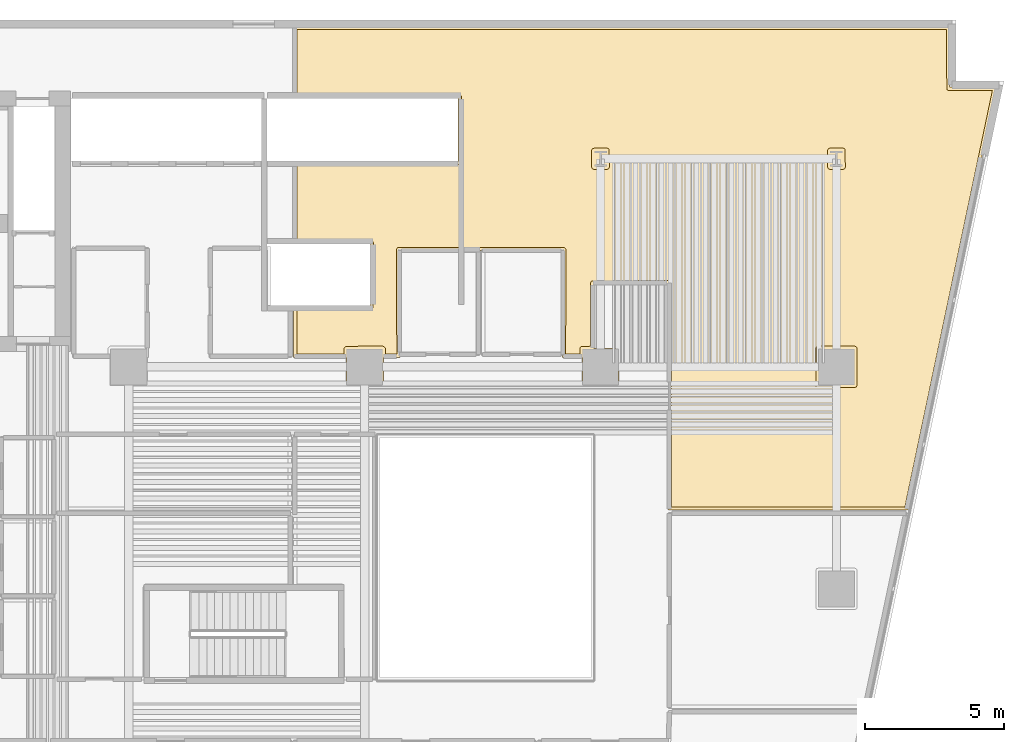
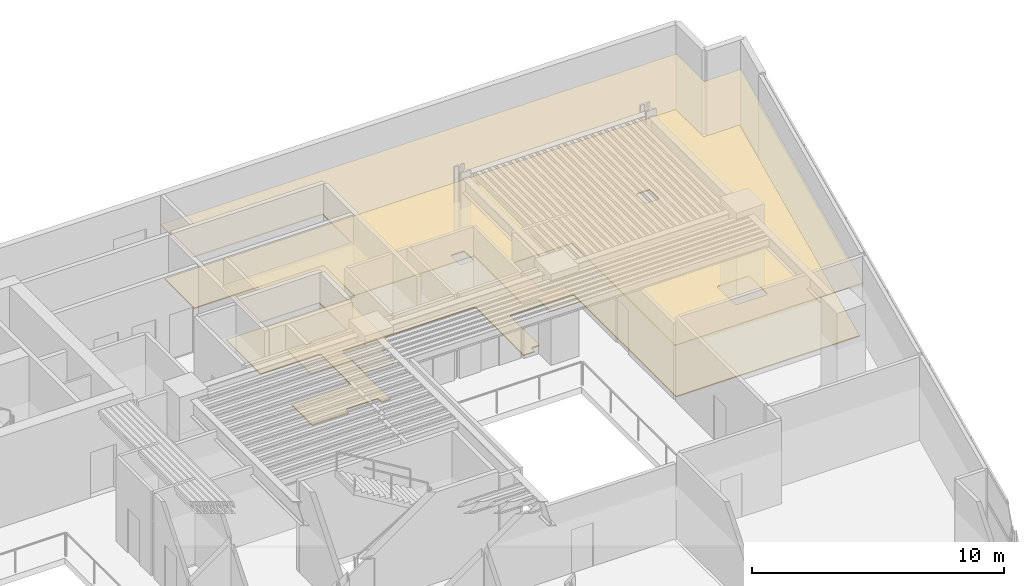
# One storey, part 12 of 12: 2 coverings.
"""IFC4 building model written with IfcOpenShell, lengths in metres."""

import ifcopenshell
import ifcopenshell.guid

model = None  # the IFC model being written
_history = None  # IfcOwnerHistory: only IFC2X3 demands one
_inside = {}  # id of a spatial element -> (the spatial element, [elements in it])
_under = {}  # id of a project, library or spatial element -> (it, [spatial elements below it])
_declared = {}  # id of a project -> (the project, [libraries it declares])
_typed = {}  # id of a type object -> (the type object, [elements of that type])
_made_of = {}  # id of a material, layer set ... -> (it, [elements and type objects made of it])


def new_model(schema):
    """Start an empty IFC model of exactly this schema.

    Asked for "IFC4X3", IfcOpenShell would pick the latest addendum, in which some entities
    have other attributes; the version numbers below select the first issue.
    IFC2X3 requires an IfcOwnerHistory on every rooted entity: one is made here for all.
    """
    global model, _history
    if schema == "IFC4X3":
        model = ifcopenshell.file(schema_version=(4, 3, 0, 0))
    else:
        model = ifcopenshell.file(schema=schema)
    _inside.clear()
    _under.clear()
    _declared.clear()
    _typed.clear()
    _made_of.clear()
    _history = None
    if model.schema == "IFC2X3":
        org = make("IfcOrganization", Name="unknown")
        user = make(
            "IfcPersonAndOrganization",
            ThePerson=make("IfcPerson", FamilyName="unknown"),
            TheOrganization=org,
        )
        app = make(
            "IfcApplication",
            ApplicationDeveloper=org,
            Version="unknown",
            ApplicationFullName="unknown",
            ApplicationIdentifier="unknown",
        )
        _history = make(
            "IfcOwnerHistory",
            OwningUser=user,
            OwningApplication=app,
            ChangeAction="ADDED",
            CreationDate=0,
        )
    return model


def make(cls, **values):
    """One entity of the class cls with the attributes given. An attribute that is None is left unset."""
    return model.create_entity(
        cls, **{name: value for name, value in values.items() if value is not None}
    )


def rooted(cls, **values):
    """An entity with a GlobalId (a new one), such as an element, a storey or a relation."""
    return make(cls, GlobalId=ifcopenshell.guid.new(), OwnerHistory=_history, **values)


def si_unit(unit_type, name, prefix=None):
    """IfcSIUnit, for example si_unit("LENGTHUNIT", "METRE", prefix="MILLI")."""
    return make("IfcSIUnit", UnitType=unit_type, Prefix=prefix, Name=name)


def assignment(units):
    """IfcUnitAssignment: the units of a project."""
    return None if units is None else make("IfcUnitAssignment", Units=units)


def point(xyz):
    """IfcCartesianPoint."""
    return None if xyz is None else make("IfcCartesianPoint", Coordinates=xyz)


def direction(xyz):
    """IfcDirection."""
    return None if xyz is None else make("IfcDirection", DirectionRatios=xyz)


def frame(location, z_axis=None, x_axis=None):
    """IfcAxis2Placement3D, a coordinate frame: its origin and axes. An axis left out is left unset."""
    return make(
        "IfcAxis2Placement3D",
        Location=point(location),
        Axis=direction(z_axis),
        RefDirection=direction(x_axis),
    )


def origin():
    """The frame at (0, 0, 0) with its axes left unset."""
    return frame((0.0, 0.0, 0.0))


def place(relative_to, where):
    """IfcLocalPlacement: puts the frame where relative to a parent placement (None: the world)."""
    return make(
        "IfcLocalPlacement", PlacementRelTo=relative_to, RelativePlacement=where
    )


def context(
    kind, dimensions, precision=None, world=None, true_north=None, identifier=None
):
    """IfcGeometricRepresentationContext, for example the 3D "Model" context."""
    return make(
        "IfcGeometricRepresentationContext",
        ContextIdentifier=identifier,
        ContextType=kind,
        CoordinateSpaceDimension=dimensions,
        Precision=precision,
        WorldCoordinateSystem=world,
        TrueNorth=true_north,
    )


def subcontext(parent, identifier, kind, view, scale=None):
    """IfcGeometricRepresentationSubContext, for example "Body" below "Model"."""
    return make(
        "IfcGeometricRepresentationSubContext",
        ContextIdentifier=identifier,
        ContextType=kind,
        ParentContext=parent,
        TargetScale=scale,
        TargetView=view,
    )


def project(units=None, contexts=None):
    """IfcProject with its units and contexts."""
    return rooted(
        "IfcProject",
        Name="project",
        RepresentationContexts=contexts,
        UnitsInContext=assignment(units),
    )


def spatial(cls, under=None, at=None, **own):
    """A site, building, storey or space (cls), placed at a placement, below another one or the project."""
    s = rooted(cls, ObjectPlacement=at, **own)
    if under is not None:
        _under.setdefault(under.id(), (under, []))[1].append(s)
    return s


def polyline(points):
    """IfcPolyline through the points."""
    return make("IfcPolyline", Points=[point(p) for p in points])


def outline(outer, holes=None, kind="AREA"):
    """IfcArbitraryClosedProfileDef: a profile drawn as a closed curve; with holes, ...WithVoids."""
    if holes is None:
        return make("IfcArbitraryClosedProfileDef", ProfileType=kind, OuterCurve=outer)
    return make(
        "IfcArbitraryProfileDefWithVoids",
        ProfileType=kind,
        OuterCurve=outer,
        InnerCurves=holes,
    )


def extrude(swept, where, along, depth):
    """IfcExtrudedAreaSolid: the profile swept, set in the frame where, extruded along a direction by depth."""
    return make(
        "IfcExtrudedAreaSolid",
        SweptArea=swept,
        Position=where,
        ExtrudedDirection=direction(along),
        Depth=depth,
    )


def shape(context_of_items, identifier, shape_type, items):
    """IfcShapeRepresentation: the items that make up one representation, for example the "Body"."""
    return make(
        "IfcShapeRepresentation",
        ContextOfItems=context_of_items,
        RepresentationIdentifier=identifier,
        RepresentationType=shape_type,
        Items=items,
    )


def material(Name=None, Category=None):
    """IfcMaterial."""
    return make("IfcMaterial", Name=Name, Category=Category)


def layer(
    of_material, thickness, ventilated=None, Name=None, Category=None, Priority=None
):
    """IfcMaterialLayer: one layer of a wall or slab, of a material (None: an air gap)."""
    return make(
        "IfcMaterialLayer",
        Material=of_material,
        LayerThickness=thickness,
        IsVentilated=ventilated,
        Name=Name,
        Category=Category,
        Priority=Priority,
    )


def layer_set(layers, Name=None):
    """IfcMaterialLayerSet."""
    return make("IfcMaterialLayerSet", MaterialLayers=layers, LayerSetName=Name)


def made_of(thing, what):
    """Note that an element or type object is made of a material, layer set ...; save() writes the relation."""
    if what is not None:
        _made_of.setdefault(what.id(), (what, []))[1].append(thing)
    return thing


def type_object(cls, material=None, **own):
    """A type object (cls), such as IfcWallType, which elements share."""
    return made_of(rooted(cls, **own), material)


def element(
    cls,
    number,
    at=None,
    inside=None,
    cuts=None,
    type_object=None,
    material=None,
    context=None,
    identifier="Body",
    shape_type=None,
    held_by="IfcProductDefinitionShape",
    body=None,
    shapes=None,
    **own,
):
    """One element of the class cls, such as IfcWall. Its Tag is "e" and its number.

    at: its placement. inside: the storey or other place that contains it. cuts: it is an
    opening in that element (IfcRelVoidsElement). A single representation is given by context,
    identifier, shape_type and body (its items); several are given by shapes. held_by: the class
    of the entity that holds the representations. save() writes the other relations.
    """
    e = rooted(cls, Tag="e%d" % number, ObjectPlacement=at, **own)
    if body is not None:
        shapes = [shape(context, identifier, shape_type, body)]
    if shapes is not None:
        e.Representation = make(held_by, Representations=shapes)
    if inside is not None:
        _inside.setdefault(inside.id(), (inside, []))[1].append(e)
    if cuts is not None:
        rooted(
            "IfcRelVoidsElement", RelatingBuildingElement=cuts, RelatedOpeningElement=e
        )
    if type_object is not None:
        _typed.setdefault(type_object.id(), (type_object, []))[1].append(e)
    return made_of(e, material)


def aggregate(whole, parts):
    """IfcRelAggregates: a whole, such as a stair, and the parts it consists of."""
    return rooted("IfcRelAggregates", RelatingObject=whole, RelatedObjects=parts)


def save(model, path):
    """Write the relations noted so far, then the file.

    IfcRelAggregates (storeys below a building ...), IfcRelContainedInSpatialStructure (elements
    in a storey), IfcRelDefinesByType, IfcRelAssociatesMaterial and IfcRelDeclares: one each for
    every whole, place, type object, material and project.
    """
    for whole, parts in _under.values():
        aggregate(whole, parts)
    for where, things in _inside.values():
        rooted(
            "IfcRelContainedInSpatialStructure",
            RelatedElements=things,
            RelatingStructure=where,
        )
    for kind, things in _typed.values():
        rooted("IfcRelDefinesByType", RelatedObjects=things, RelatingType=kind)
    for what, things in _made_of.values():
        rooted("IfcRelAssociatesMaterial", RelatedObjects=things, RelatingMaterial=what)
    for by, libraries in _declared.values():
        rooted("IfcRelDeclares", RelatingContext=by, RelatedDefinitions=libraries)
    model.write(path)


model = new_model("IFC4")

# Units and contexts
model_context = context("Model", 3, precision=1e-05, world=origin(), true_north=direction((0.0, 1.0)))
body_context = subcontext(model_context, "Body", "Model", "MODEL_VIEW")
ifc_project = project(units=[si_unit("LENGTHUNIT", "METRE"), si_unit("AREAUNIT", "SQUARE_METRE"), si_unit("VOLUMEUNIT", "CUBIC_METRE"), si_unit("PLANEANGLEUNIT", "RADIAN"), si_unit("MASSUNIT", "GRAM", prefix="KILO")], contexts=[model_context])

# Site, building, storey
site_placement = place(None, origin())
site = spatial("IfcSite", under=ifc_project, at=site_placement, CompositionType="ELEMENT")
building_placement = place(site_placement, origin())
building = spatial("IfcBuilding", under=site, at=building_placement, Name="Caeloran Harvest Quay", CompositionType="ELEMENT")
storey_placement = place(building_placement, frame((0.0, 0.0, 57.800048828125)))
storey = spatial("IfcBuildingStorey", under=building, at=storey_placement, Name="L13", CompositionType="ELEMENT", Elevation=57.800048828125)

# Coverings
ifc_material_1 = material(Name="Perforated Mineral-Fibre Acoustic Ceiling Tile", Category="ceiling")
ifc_layer_1 = layer(ifc_material_1, 0.0400390625, Name="Perforated Mineral-Fibre Acoustic Ceiling Tile")
ifc_layer_set_1 = layer_set([ifc_layer_1], Name="Perforated Mineral-Fibre Acoustic Ceiling Tile")
covering_type_1 = type_object("IfcCoveringType", Name="COV-CEILING-ACOUSTIC", PredefinedType="CEILING", material=ifc_layer_set_1)
covering_1_placement = place(storey_placement, frame((0.0, 0.0, 2.599853515625)))
element("IfcCovering", 1, at=covering_1_placement, inside=storey, type_object=covering_type_1, Name="Harvest Seminar Room 12 Acoustic Ceiling", PredefinedType="CEILING", context=body_context, shape_type="SweptSolid", body=[
    extrude(outline(polyline([(33.330078125, 31.340087890625), (31.43994140625, 31.340087890625), (31.43994140625, 33.2099609375), (34.18994140625, 33.2099609375), (34.18994140625, 35.43994140625), (31.43994140625, 35.43994140625), (31.43994140625, 38.409912109375), (37.3701171875, 38.409912109375), (37.3701171875, 40.68994140625), (31.43994140625, 40.68994140625), (31.43994140625, 43.280029296875), (55.080078125, 43.280029296875), (55.080078125, 41.080078125), (56.766845703125, 41.080078125), (53.565185546875, 25.840087890625), (44.93994140625, 25.840087890625), (44.93994140625, 33.989990234375), (42.260009765625, 33.989990234375), (42.260009765625, 31.669921875), (43.169921875, 31.669921875), (43.169921875, 30.330078125), (41.830078125, 30.330078125), (41.830078125, 31.340087890625), (41.119873046875, 31.340087890625), (41.139892578125, 35.18994140625), (35.26025390625, 35.18994140625), (35.2802734375, 31.340087890625), (34.669921875, 31.340087890625), (34.669921875, 30.330078125), (33.330078125, 30.330078125), (33.330078125, 31.340087890625)])), origin(), (0.0, 0.0, 1.0), 0.0400390625),
])
ifc_material_2 = material(Name="Calcium-Sulphate Raised Access Floor and Terrazzo Finish", Category="flooring")
ifc_layer_2 = layer(ifc_material_2, 0.050048828125, Name="Calcium-Sulphate Raised Access Floor and Terrazzo Finish")
ifc_layer_set_2 = layer_set([ifc_layer_2], Name="Calcium-Sulphate Raised Access Floor and Terrazzo Finish")
covering_type_2 = type_object("IfcCoveringType", Name="COV-FLOOR-RAISED", PredefinedType="FLOORING", material=ifc_layer_set_2)
covering_2_placement = place(storey_placement, origin())
element("IfcCovering", 2, at=covering_2_placement, inside=storey, type_object=covering_type_2, Name="Harvest Seminar Room 12 Raised Finish Flooring", PredefinedType="FLOORING", context=body_context, shape_type="SweptSolid", body=[
    extrude(outline(polyline([(34.31005859375, 35.47998046875), (34.28662109375, 35.53662109375), (34.22998046875, 35.56005859375), (31.56005859375, 35.56005859375), (31.56005859375, 38.2900390625), (37.440673828125, 38.296142578125), (37.489990234375, 38.3701171875), (37.48388671875, 40.760498046875), (37.409912109375, 40.81005859375), (31.56005859375, 40.81005859375), (31.56005859375, 43.159912109375), (54.9599609375, 43.159912109375), (54.978271484375, 40.9892578125), (55.0400390625, 40.9599609375), (56.618896484375, 40.9599609375), (53.468017578125, 25.9599609375), (45.06005859375, 25.9599609375), (45.053955078125, 34.060546875), (44.97998046875, 34.110107421875), (42.175537109375, 34.096435546875), (42.139892578125, 34.030029296875), (42.139892578125, 31.7451171875), (41.79052734375, 31.7314453125), (41.75537109375, 31.6728515625), (41.7548828125, 31.4599609375), (41.240478515625, 31.4599609375), (41.260009765625, 35.2294921875), (41.19580078125, 35.30859375), (35.189208984375, 35.303955078125), (35.139892578125, 35.2294921875), (35.15966796875, 31.4599609375), (34.7451171875, 31.4599609375), (34.74169921875, 31.688232421875), (34.6650390625, 31.7451171875), (33.3193359375, 31.743408203125), (33.256591796875, 31.6806640625), (33.2548828125, 31.4599609375), (31.56005859375, 31.4599609375), (31.56005859375, 33.090087890625), (34.22998046875, 33.090087890625), (34.29638671875, 33.12548828125), (34.31005859375, 35.47998046875)]), holes=[polyline([(51.7451171875, 31.6650390625), (51.7216796875, 31.7216796875), (51.6650390625, 31.7451171875), (50.3349609375, 31.7451171875), (50.2783203125, 31.7216796875), (50.2548828125, 31.6650390625), (50.2548828125, 30.3349609375), (50.2783203125, 30.2783203125), (50.3349609375, 30.2548828125), (51.6650390625, 30.2548828125), (51.7216796875, 30.2783203125), (51.7451171875, 30.3349609375), (51.7451171875, 31.6650390625)]), polyline([(51.322021484375, 38.200439453125), (51.3037109375, 38.850341796875), (51.249755859375, 38.879150390625), (50.758056640625, 38.87939453125), (50.701416015625, 38.856201171875), (50.677978515625, 38.799560546875), (50.677978515625, 38.200439453125), (50.701416015625, 38.143798828125), (50.758056640625, 38.12060546875), (51.241943359375, 38.12060546875), (51.298583984375, 38.143798828125), (51.322021484375, 38.200439453125)]), polyline([(42.822021484375, 38.200439453125), (42.8037109375, 38.850341796875), (42.749755859375, 38.879150390625), (42.258056640625, 38.87939453125), (42.201416015625, 38.856201171875), (42.177978515625, 38.799560546875), (42.177978515625, 38.200439453125), (42.201416015625, 38.143798828125), (42.258056640625, 38.12060546875), (42.741943359375, 38.12060546875), (42.798583984375, 38.143798828125), (42.822021484375, 38.200439453125)])]), origin(), (0.0, 0.0, 1.0), 0.050048828125),
])

save(model, "model.ifc")
